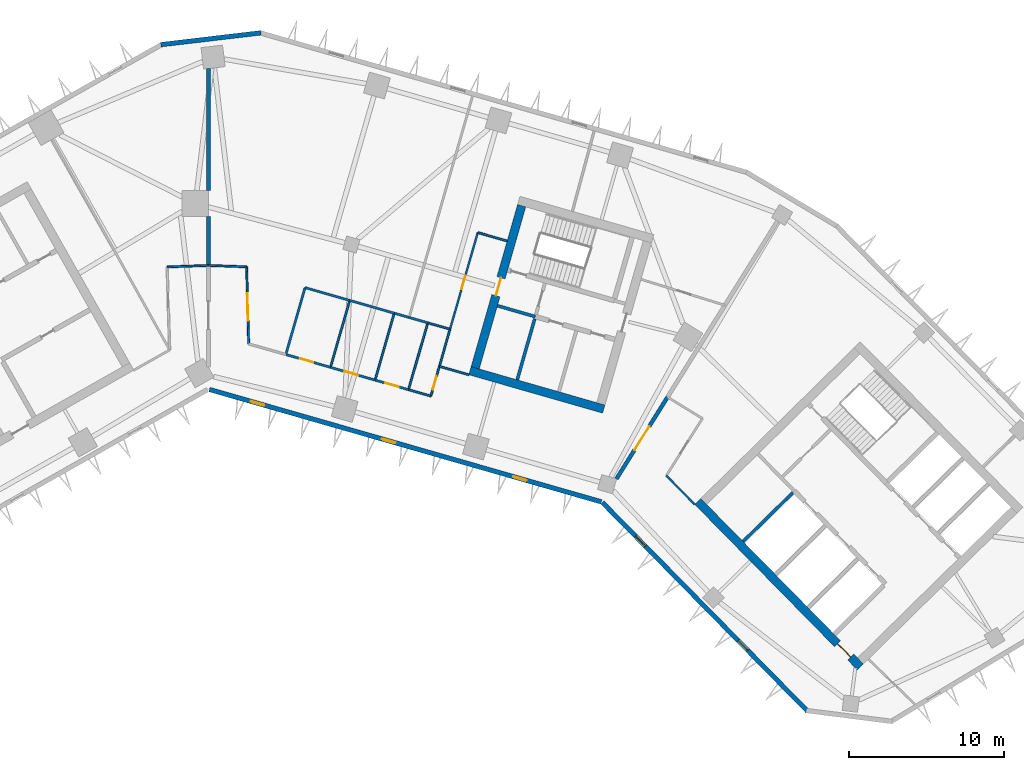
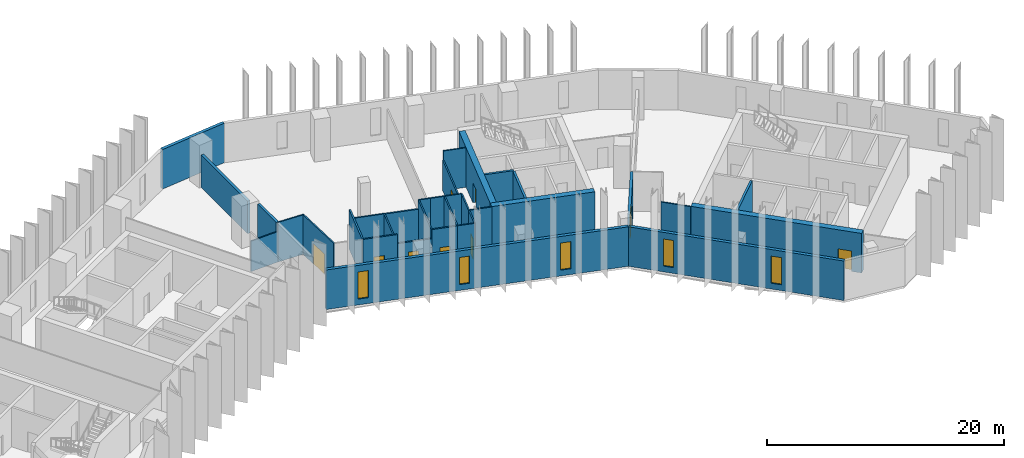
# One storey, part 5 of 11: 34 walls, 9 doors, 5 windows, 14 openings.
"""IFC4 building model written with IfcOpenShell, lengths in metres."""

from ifc_helpers import new_model, si_unit, direction, frame, frame_2d, origin, place, context, subcontext, project, spatial, rectangle, extrude, material, layer, layer_set, type_object, element, fill, save


model = new_model("IFC4")

# Units and contexts
model_context = context("Model", 3, precision=1e-05, world=origin(), true_north=direction((0.0, 1.0)))
body_context = subcontext(model_context, "Body", "Model", "MODEL_VIEW")
ifc_project = project(units=[si_unit("LENGTHUNIT", "METRE"), si_unit("AREAUNIT", "SQUARE_METRE"), si_unit("VOLUMEUNIT", "CUBIC_METRE"), si_unit("PLANEANGLEUNIT", "RADIAN"), si_unit("MASSUNIT", "GRAM", prefix="KILO")], contexts=[model_context])

# Site, building, storey
site_placement = place(None, origin())
site = spatial("IfcSite", under=ifc_project, at=site_placement, CompositionType="ELEMENT")
building_placement = place(site_placement, origin())
building = spatial("IfcBuilding", under=site, at=building_placement, Name="Binnacle Exchange Tower", CompositionType="ELEMENT")
storey_placement = place(building_placement, frame((0.0, 0.0, 105.89990234375)))
storey = spatial("IfcBuildingStorey", under=building, at=storey_placement, Name="L21", CompositionType="ELEMENT", Elevation=105.89990234375)

# Wall, opening, door
ifc_material_1 = material(Name="Concrete C70/85", Category="concrete")
ifc_layer_1 = layer(ifc_material_1, 0.550048828125)
ifc_layer_set_1 = layer_set([ifc_layer_1], Name="Core wall - outer 550")
wall_type_1 = type_object("IfcWallType", Name="Core wall - outer 550", PredefinedType="SOLIDWALL", material=ifc_layer_set_1)
wall_1_placement = place(storey_placement, frame((31.627685546875, 40.7451171875, 0.0), z_axis=(0.0, 0.0, 1.0), x_axis=(0.700911255944, -0.713248491965, 0.0)))
wall_1 = element("IfcWall", 1, at=wall_1_placement, inside=storey, type_object=wall_type_1, Name="Core wall CRWB1", PredefinedType="SOLIDWALL", context=body_context, shape_type="SweptSolid", body=[
    extrude(rectangle(XDim=15.0, YDim=0.550048828125, at=frame_2d((7.5, 0.0))), origin(), (0.0, 0.0, 1.0), 4.080078125),
])
opening_1_placement = place(wall_1_placement, frame((12.89990234375, 0.0, 0.0)))
opening_1 = element("IfcOpeningElement", 2, at=opening_1_placement, cuts=wall_1, Name="Opening DB7", PredefinedType="OPENING", context=body_context, shape_type="SweptSolid", body=[
    extrude(rectangle(XDim=1.199951171875, YDim=2.10009765625, at=frame_2d((0.60009765625, 1.050048828125))), frame((0.0, 0.284912109375, 0.0), z_axis=(0.0, -1.0, 0.0), x_axis=(1.0, 0.0, 0.0)), (0.0, 0.0, 1.0), 0.570068359375),
])
ifc_material_2 = material(Name="Steel door leaf", Category="steel")
door_type_1 = type_object("IfcDoorType", Name="Fire door 1200", OperationType="NOTDEFINED", PredefinedType="DOOR", material=ifc_material_2)
door_1_placement = place(opening_1_placement, frame((1.199951171875, 0.0, 0.0), z_axis=(0.0, 0.0, 1.0), x_axis=(-1.0, 0.0, 0.0)))
door_1 = element("IfcDoor", 3, at=door_1_placement, inside=storey, type_object=door_type_1, Name="Lift lobby entrance door core B", OperationType="SINGLE_SWING_LEFT", OverallHeight=2.10009765625, OverallWidth=1.199951171875, PredefinedType="DOOR", context=body_context, shape_type="SweptSolid", body=[
    extrude(rectangle(XDim=1.199951171875, YDim=2.10009765625, at=frame_2d((0.60009765625, 1.050048828125))), frame((0.0, 0.02490234375, 0.0), z_axis=(0.0, -1.0, 0.0), x_axis=(1.0, 0.0, 0.0)), (0.0, 0.0, 1.0), 0.050048828125),
])
fill(opening_1, door_1)

# Wall
wall_2_placement = place(storey_placement, frame((16.90380859375, 49.197265625, 0.0), z_axis=(0.0, 0.0, 1.0), x_axis=(0.96126248289, -0.275634611374, 0.0)))
element("IfcWall", 4, at=wall_2_placement, inside=storey, type_object=wall_type_1, Name="Core wall CRWD1", PredefinedType="SOLIDWALL", context=body_context, shape_type="SweptSolid", body=[
    extrude(rectangle(XDim=9.0, YDim=0.550048828125, at=frame_2d((4.5, 0.0))), origin(), (0.0, 0.0, 1.0), 4.080078125),
])

# Wall, opening, door
wall_3_placement = place(storey_placement, frame((17.243896484375, 49.3857421875, 0.0), z_axis=(0.0, 0.0, 1.0), x_axis=(0.275632146085, 0.96126318979, 0.0)))
wall_3 = element("IfcWall", 5, at=wall_3_placement, inside=storey, type_object=wall_type_1, Name="Core wall CRWD7", PredefinedType="SOLIDWALL", context=body_context, shape_type="SweptSolid", body=[
    extrude(rectangle(XDim=10.89990234375, YDim=0.550048828125, at=frame_2d((5.449951171875, 0.0))), origin(), (0.0, 0.0, 1.0), 4.080078125),
])
opening_2_placement = place(wall_3_placement, frame((4.85009765625, 0.0, 0.0)))
opening_2 = element("IfcOpeningElement", 6, at=opening_2_placement, cuts=wall_3, Name="Opening DD5", PredefinedType="OPENING", context=body_context, shape_type="SweptSolid", body=[
    extrude(rectangle(XDim=1.199951171875, YDim=2.10009765625, at=frame_2d((0.60009765625, 1.050048828125))), frame((0.0, 0.284912109375, 0.0), z_axis=(0.0, -1.0, 0.0), x_axis=(1.0, 0.0, 0.0)), (0.0, 0.0, 1.0), 0.570068359375),
])
door_2_placement = place(opening_2_placement, origin())
door_2 = element("IfcDoor", 7, at=door_2_placement, inside=storey, type_object=door_type_1, Name="Vestibule exit door VEST-W", OperationType="SINGLE_SWING_RIGHT", OverallHeight=2.10009765625, OverallWidth=1.199951171875, PredefinedType="DOOR", context=body_context, shape_type="SweptSolid", body=[
    extrude(rectangle(XDim=1.199951171875, YDim=2.10009765625, at=frame_2d((0.60009765625, 1.050048828125))), frame((0.0, 0.02490234375, 0.0), z_axis=(0.0, -1.0, 0.0), x_axis=(1.0, 0.0, 0.0)), (0.0, 0.0, 1.0), 0.050048828125),
])
fill(opening_2, door_2)

# Wall
ifc_material_3 = material(Name="Bronze aluminium cladding", Category="aluminium")
ifc_layer_2 = layer(ifc_material_3, 0.300048828125)
ifc_layer_set_2 = layer_set([ifc_layer_2], Name="External wall - spandrel 300")
wall_type_2 = type_object("IfcWallType", Name="External wall - spandrel 300", PredefinedType="STANDARD", material=ifc_layer_set_2)
wall_4_placement = place(storey_placement, frame((-3.076171875, 70.27294921875, 0.0), z_axis=(0.0, 0.0, 1.0), x_axis=(0.993067743007, 0.117543429416, 0.0)))
element("IfcWall", 8, at=wall_4_placement, inside=storey, type_object=wall_type_2, Name="External wall EW-F02 L21", PredefinedType="STANDARD", context=body_context, shape_type="SweptSolid", body=[
    extrude(rectangle(XDim=6.515625, YDim=0.300048828125, at=frame_2d((3.2578125, 0.0))), origin(), (0.0, 0.0, 1.0), 4.080078125),
])

# Wall, openings, windows
wall_5_placement = place(storey_placement, frame((25.398193359375, 40.71728515625, 0.0), z_axis=(0.0, 0.0, 1.0), x_axis=(-0.961262423262, 0.275634819324, 0.0)))
wall_5 = element("IfcWall", 9, at=wall_5_placement, inside=storey, type_object=wall_type_2, Name="External wall EW-F08 L21", PredefinedType="STANDARD", context=body_context, shape_type="SweptSolid", body=[
    extrude(rectangle(XDim=26.358642578125, YDim=0.300048828125, at=frame_2d((13.17919921875, 0.0))), origin(), (0.0, 0.0, 1.0), 4.080078125),
])
opening_3_placement = place(wall_5_placement, frame((22.6640625, 0.0, 0.60009765625)))
opening_3 = element("IfcOpeningElement", 10, at=opening_3_placement, cuts=wall_5, Name="Opening WS2", PredefinedType="OPENING", context=body_context, shape_type="SweptSolid", body=[
    extrude(rectangle(XDim=0.89990234375, YDim=2.800048828125, at=frame_2d((0.449951171875, 1.39990234375))), frame((0.0, 0.159912109375, 0.0), z_axis=(0.0, -1.0, 0.0), x_axis=(1.0, 0.0, 0.0)), (0.0, 0.0, 1.0), 0.320068359375),
])
opening_4_placement = place(wall_5_placement, frame((13.843505859375, 0.0, 0.60009765625)))
opening_4 = element("IfcOpeningElement", 11, at=opening_4_placement, cuts=wall_5, Name="Opening WS2", PredefinedType="OPENING", context=body_context, shape_type="SweptSolid", body=[
    extrude(rectangle(XDim=0.89990234375, YDim=2.800048828125, at=frame_2d((0.449951171875, 1.39990234375))), frame((0.0, 0.159912109375, 0.0), z_axis=(0.0, -1.0, 0.0), x_axis=(1.0, 0.0, 0.0)), (0.0, 0.0, 1.0), 0.320068359375),
])
opening_5_placement = place(wall_5_placement, frame((5.023193359375, 0.0, 0.60009765625)))
opening_5 = element("IfcOpeningElement", 12, at=opening_5_placement, cuts=wall_5, Name="Opening WS2", PredefinedType="OPENING", context=body_context, shape_type="SweptSolid", body=[
    extrude(rectangle(XDim=0.89990234375, YDim=2.800048828125, at=frame_2d((0.449951171875, 1.39990234375))), frame((0.0, 0.159912109375, 0.0), z_axis=(0.0, -1.0, 0.0), x_axis=(1.0, 0.0, 0.0)), (0.0, 0.0, 1.0), 0.320068359375),
])
ifc_material_4 = material(Name="Bronze anodised aluminium frame", Category="aluminium")
window_type = type_object("IfcWindowType", Name="WS2 WINDOW 900x2800", PartitioningType="SINGLE_PANEL", PredefinedType="WINDOW", material=ifc_material_4)
window_1_placement = place(opening_3_placement, origin())
window_1 = element("IfcWindow", 13, at=window_1_placement, inside=storey, type_object=window_type, Name="Window WS2 L21", OverallHeight=2.800048828125, OverallWidth=0.89990234375, PartitioningType="SINGLE_PANEL", PredefinedType="WINDOW", context=body_context, shape_type="SweptSolid", body=[
    extrude(rectangle(XDim=0.89990234375, YDim=2.800048828125, at=frame_2d((0.449951171875, 1.39990234375))), frame((0.0, 0.030029296875, 0.0), z_axis=(0.0, -1.0, 0.0), x_axis=(1.0, 0.0, 0.0)), (0.0, 0.0, 1.0), 0.06005859375),
])
fill(opening_3, window_1)
window_2_placement = place(opening_4_placement, origin())
window_2 = element("IfcWindow", 14, at=window_2_placement, inside=storey, type_object=window_type, Name="Window WS2 L21", OverallHeight=2.800048828125, OverallWidth=0.89990234375, PartitioningType="SINGLE_PANEL", PredefinedType="WINDOW", context=body_context, shape_type="SweptSolid", body=[
    extrude(rectangle(XDim=0.89990234375, YDim=2.800048828125, at=frame_2d((0.449951171875, 1.39990234375))), frame((0.0, 0.030029296875, 0.0), z_axis=(0.0, -1.0, 0.0), x_axis=(1.0, 0.0, 0.0)), (0.0, 0.0, 1.0), 0.06005859375),
])
fill(opening_4, window_2)
window_3_placement = place(opening_5_placement, origin())
window_3 = element("IfcWindow", 15, at=window_3_placement, inside=storey, type_object=window_type, Name="Window WS2 L21", OverallHeight=2.800048828125, OverallWidth=0.89990234375, PartitioningType="SINGLE_PANEL", PredefinedType="WINDOW", context=body_context, shape_type="SweptSolid", body=[
    extrude(rectangle(XDim=0.89990234375, YDim=2.800048828125, at=frame_2d((0.449951171875, 1.39990234375))), frame((0.0, 0.030029296875, 0.0), z_axis=(0.0, -1.0, 0.0), x_axis=(1.0, 0.0, 0.0)), (0.0, 0.0, 1.0), 0.06005859375),
])
fill(opening_5, window_3)

wall_6_placement = place(storey_placement, frame((38.727294921875, 27.18115234375, 0.0), z_axis=(0.0, 0.0, 1.0), x_axis=(-0.700906405975, 0.713253258011, 0.0)))
wall_6 = element("IfcWall", 16, at=wall_6_placement, inside=storey, type_object=wall_type_2, Name="External wall EW-F09 L21", PredefinedType="STANDARD", context=body_context, shape_type="SweptSolid", body=[
    extrude(rectangle(XDim=18.92333984375, YDim=0.300048828125, at=frame_2d((9.461669921875, 0.0))), origin(), (0.0, 0.0, 1.0), 4.080078125),
])
opening_6_placement = place(wall_6_placement, frame((14.967041015625, 0.0, 0.60009765625)))
opening_6 = element("IfcOpeningElement", 17, at=opening_6_placement, cuts=wall_6, Name="Opening WS2", PredefinedType="OPENING", context=body_context, shape_type="SweptSolid", body=[
    extrude(rectangle(XDim=0.89990234375, YDim=2.800048828125, at=frame_2d((0.449951171875, 1.39990234375))), frame((0.0, 0.159912109375, 0.0), z_axis=(0.0, -1.0, 0.0), x_axis=(1.0, 0.0, 0.0)), (0.0, 0.0, 1.0), 0.320068359375),
])
opening_7_placement = place(wall_6_placement, frame((5.51171875, 0.0, 0.60009765625)))
opening_7 = element("IfcOpeningElement", 18, at=opening_7_placement, cuts=wall_6, Name="Opening WS2", PredefinedType="OPENING", context=body_context, shape_type="SweptSolid", body=[
    extrude(rectangle(XDim=0.89990234375, YDim=2.800048828125, at=frame_2d((0.449951171875, 1.39990234375))), frame((0.0, 0.159912109375, 0.0), z_axis=(0.0, -1.0, 0.0), x_axis=(1.0, 0.0, 0.0)), (0.0, 0.0, 1.0), 0.320068359375),
])
window_4_placement = place(opening_6_placement, origin())
window_4 = element("IfcWindow", 19, at=window_4_placement, inside=storey, type_object=window_type, Name="Window WS2 L21", OverallHeight=2.800048828125, OverallWidth=0.89990234375, PartitioningType="SINGLE_PANEL", PredefinedType="WINDOW", context=body_context, shape_type="SweptSolid", body=[
    extrude(rectangle(XDim=0.89990234375, YDim=2.800048828125, at=frame_2d((0.449951171875, 1.39990234375))), frame((0.0, 0.030029296875, 0.0), z_axis=(0.0, -1.0, 0.0), x_axis=(1.0, 0.0, 0.0)), (0.0, 0.0, 1.0), 0.06005859375),
])
fill(opening_6, window_4)
window_5_placement = place(opening_7_placement, origin())
window_5 = element("IfcWindow", 20, at=window_5_placement, inside=storey, type_object=window_type, Name="Window WS2 L21", OverallHeight=2.800048828125, OverallWidth=0.89990234375, PartitioningType="SINGLE_PANEL", PredefinedType="WINDOW", context=body_context, shape_type="SweptSolid", body=[
    extrude(rectangle(XDim=0.89990234375, YDim=2.800048828125, at=frame_2d((0.449951171875, 1.39990234375))), frame((0.0, 0.030029296875, 0.0), z_axis=(0.0, -1.0, 0.0), x_axis=(1.0, 0.0, 0.0)), (0.0, 0.0, 1.0), 0.06005859375),
])
fill(opening_7, window_5)

# Walls
ifc_material_5 = material(Name="Concrete fire wall C30/37", Category="concrete")
ifc_layer_3 = layer(ifc_material_5, 0.25)
ifc_layer_set_3 = layer_set([ifc_layer_3], Name="Fire wall - compartment 250")
wall_type_3 = type_object("IfcWallType", Name="Fire wall - compartment 250", PredefinedType="PARTITIONING", material=ifc_layer_set_3)
wall_7_placement = place(storey_placement, frame((0.0, 56.0, 0.0), z_axis=(0.0, 0.0, 1.0), x_axis=(0.0, 1.0, 0.0)))
element("IfcWall", 21, at=wall_7_placement, inside=storey, type_object=wall_type_3, Name="Fire Wall W11", PredefinedType="PARTITIONING", context=body_context, shape_type="SweptSolid", body=[
    extrude(rectangle(XDim=3.14990234375, YDim=0.25, at=frame_2d((1.574951171875, 0.0))), origin(), (0.0, 0.0, 1.0), 4.080078125),
])
wall_8_placement = place(storey_placement, frame((0.0, 60.85009765625, 0.0), z_axis=(0.0, 0.0, 1.0), x_axis=(0.0, 1.0, 0.0)))
element("IfcWall", 22, at=wall_8_placement, inside=storey, type_object=wall_type_3, Name="Fire Wall W13", PredefinedType="PARTITIONING", context=body_context, shape_type="SweptSolid", body=[
    extrude(rectangle(XDim=7.8740234375, YDim=0.25, at=frame_2d((3.93701171875, 0.0))), origin(), (0.0, 0.0, 1.0), 3.35205078125),
])

# Wall, opening, door
wall_9_placement = place(storey_placement, frame((26.373046875, 42.2060546875, 0.0), z_axis=(0.0, 0.0, 1.0), x_axis=(0.52987567935, 0.848075329457, 0.0)))
wall_9 = element("IfcWall", 23, at=wall_9_placement, inside=storey, type_object=wall_type_3, Name="Fire Wall W36", PredefinedType="PARTITIONING", context=body_context, shape_type="SweptSolid", body=[
    extrude(rectangle(XDim=6.231689453125, YDim=0.25, at=frame_2d((3.11572265625, 0.0))), origin(), (0.0, 0.0, 1.0), 4.080078125),
])
opening_8_placement = place(wall_9_placement, frame((2.199951171875, 0.0, 0.0)))
opening_8 = element("IfcOpeningElement", 24, at=opening_8_placement, cuts=wall_9, Name="Opening DL19-14", PredefinedType="OPENING", context=body_context, shape_type="SweptSolid", body=[
    extrude(rectangle(XDim=1.800048828125, YDim=2.10009765625, at=frame_2d((0.89990234375, 1.050048828125))), frame((0.0, 0.135009765625, 0.0), z_axis=(0.0, -1.0, 0.0), x_axis=(1.0, 0.0, 0.0)), (0.0, 0.0, 1.0), 0.27001953125),
])
door_type_2 = type_object("IfcDoorType", Name="Fire door 1800", OperationType="NOTDEFINED", PredefinedType="DOOR", material=ifc_material_2)
door_3_placement = place(opening_8_placement, origin())
door_3 = element("IfcDoor", 25, at=door_3_placement, inside=storey, type_object=door_type_2, Name="Door DL19-14", OperationType="DOUBLE_DOOR_SINGLE_SWING", OverallHeight=2.10009765625, OverallWidth=1.800048828125, PredefinedType="DOOR", context=body_context, shape_type="SweptSolid", body=[
    extrude(rectangle(XDim=1.800048828125, YDim=2.10009765625, at=frame_2d((0.89990234375, 1.050048828125))), frame((0.0, 0.02490234375, 0.0), z_axis=(0.0, -1.0, 0.0), x_axis=(1.0, 0.0, 0.0)), (0.0, 0.0, 1.0), 0.050048828125),
])
fill(opening_8, door_3)

# Wall
ifc_material_6 = material(Name="Gypsum partition fire rated")
ifc_layer_4 = layer(ifc_material_6, 0.14990234375)
ifc_layer_set_4 = layer_set([ifc_layer_4], Name="Fire-rated partition 150")
wall_type_4 = type_object("IfcWallType", Name="Fire-rated partition 150", PredefinedType="PARTITIONING", material=ifc_layer_set_4)
wall_10_placement = place(storey_placement, frame((5.00390625, 50.242919921875, 0.0), z_axis=(0.0, 0.0, 1.0), x_axis=(0.275838825927, 0.961203902464, 0.0)))
element("IfcWall", 26, at=wall_10_placement, inside=storey, type_object=wall_type_4, Name="Partition W16", PredefinedType="PARTITIONING", context=body_context, shape_type="SweptSolid", body=[
    extrude(rectangle(XDim=4.499755859375, YDim=0.14990234375, at=frame_2d((2.25, 0.0))), origin(), (0.0, 0.0, 1.0), 4.080078125),
])

# Wall, opening, door
wall_11_placement = place(storey_placement, frame((5.00390625, 50.242919921875, 0.0), z_axis=(0.0, 0.0, 1.0), x_axis=(0.961268664977, -0.27561305073, 0.0)))
wall_11 = element("IfcWall", 27, at=wall_11_placement, inside=storey, type_object=wall_type_4, Name="Partition W17", PredefinedType="PARTITIONING", context=body_context, shape_type="SweptSolid", body=[
    extrude(rectangle(XDim=3.000244140625, YDim=0.14990234375, at=frame_2d((1.5, 0.0))), origin(), (0.0, 0.0, 1.0), 4.080078125),
])
opening_9_placement = place(wall_11_placement, frame((0.949951171875, 0.0, 0.0)))
opening_9 = element("IfcOpeningElement", 28, at=opening_9_placement, cuts=wall_11, Name="Opening DL19-04", PredefinedType="OPENING", context=body_context, shape_type="SweptSolid", body=[
    extrude(rectangle(XDim=0.89990234375, YDim=2.10009765625, at=frame_2d((0.449951171875, 1.050048828125))), frame((0.0, 0.0849609375, 0.0), z_axis=(0.0, -1.0, 0.0), x_axis=(1.0, 0.0, 0.0)), (0.0, 0.0, 1.0), 0.169921875),
])
door_type_3 = type_object("IfcDoorType", Name="Fire door 900", OperationType="NOTDEFINED", PredefinedType="DOOR", material=ifc_material_2)
door_4_placement = place(opening_9_placement, origin())
door_4 = element("IfcDoor", 29, at=door_4_placement, inside=storey, type_object=door_type_3, Name="Door DL19-04", OperationType="SINGLE_SWING_LEFT", OverallHeight=2.10009765625, OverallWidth=0.89990234375, PredefinedType="DOOR", context=body_context, shape_type="SweptSolid", body=[
    extrude(rectangle(XDim=0.89990234375, YDim=2.10009765625, at=frame_2d((0.449951171875, 1.050048828125))), frame((0.0, 0.02490234375, 0.0), z_axis=(0.0, -1.0, 0.0), x_axis=(1.0, 0.0, 0.0)), (0.0, 0.0, 1.0), 0.050048828125),
])
fill(opening_9, door_4)

# Wall
wall_12_placement = place(storey_placement, frame((6.2451171875, 54.568115234375, 0.0), z_axis=(0.0, 0.0, 1.0), x_axis=(0.961240918172, -0.275709806194, 0.0)))
element("IfcWall", 30, at=wall_12_placement, inside=storey, type_object=wall_type_4, Name="Partition W18", PredefinedType="PARTITIONING", context=body_context, shape_type="SweptSolid", body=[
    extrude(rectangle(XDim=3.0, YDim=0.14990234375, at=frame_2d((1.5, 0.0))), origin(), (0.0, 0.0, 1.0), 3.16015625),
])

# Wall, opening, door
wall_13_placement = place(storey_placement, frame((7.887939453125, 49.416015625, 0.0), z_axis=(0.0, 0.0, 1.0), x_axis=(0.961268664977, -0.27561305073, 0.0)))
wall_13 = element("IfcWall", 31, at=wall_13_placement, inside=storey, type_object=wall_type_4, Name="Partition W20", PredefinedType="PARTITIONING", context=body_context, shape_type="SweptSolid", body=[
    extrude(rectangle(XDim=3.000244140625, YDim=0.14990234375, at=frame_2d((1.5, 0.0))), origin(), (0.0, 0.0, 1.0), 3.14208984375),
])
opening_10_placement = place(wall_13_placement, frame((0.949951171875, 0.0, 0.0)))
opening_10 = element("IfcOpeningElement", 32, at=opening_10_placement, cuts=wall_13, Name="Opening DL19-05", PredefinedType="OPENING", context=body_context, shape_type="SweptSolid", body=[
    extrude(rectangle(XDim=0.89990234375, YDim=2.10009765625, at=frame_2d((0.449951171875, 1.050048828125))), frame((0.0, 0.0849609375, 0.0), z_axis=(0.0, -1.0, 0.0), x_axis=(1.0, 0.0, 0.0)), (0.0, 0.0, 1.0), 0.169921875),
])
door_5_placement = place(opening_10_placement, origin())
door_5 = element("IfcDoor", 33, at=door_5_placement, inside=storey, type_object=door_type_3, Name="Door DL19-05", OperationType="SINGLE_SWING_LEFT", OverallHeight=2.10009765625, OverallWidth=0.89990234375, PredefinedType="DOOR", context=body_context, shape_type="SweptSolid", body=[
    extrude(rectangle(XDim=0.89990234375, YDim=2.10009765625, at=frame_2d((0.449951171875, 1.050048828125))), frame((0.0, 0.02490234375, 0.0), z_axis=(0.0, -1.0, 0.0), x_axis=(1.0, 0.0, 0.0)), (0.0, 0.0, 1.0), 0.050048828125),
])
fill(opening_10, door_5)

# Wall
wall_14_placement = place(storey_placement, frame((9.12890625, 53.740966796875, 0.0), z_axis=(0.0, 0.0, 1.0), x_axis=(0.961243927922, -0.275699312717, 0.0)))
element("IfcWall", 34, at=wall_14_placement, inside=storey, type_object=wall_type_4, Name="Partition W21", PredefinedType="PARTITIONING", context=body_context, shape_type="SweptSolid", body=[
    extrude(rectangle(XDim=2.999267578125, YDim=0.14990234375, at=frame_2d((1.49951171875, 0.0))), origin(), (0.0, 0.0, 1.0), 3.14208984375),
])

# Wall, opening, door
wall_15_placement = place(storey_placement, frame((10.77197265625, 48.589111328125, 0.0), z_axis=(0.0, 0.0, 1.0), x_axis=(0.96127791106, -0.275580800688, 0.0)))
wall_15 = element("IfcWall", 35, at=wall_15_placement, inside=storey, type_object=wall_type_4, Name="Partition W23", PredefinedType="PARTITIONING", context=body_context, shape_type="SweptSolid", body=[
    extrude(rectangle(XDim=2.250244140625, YDim=0.14990234375, at=frame_2d((1.125, 0.0))), origin(), (0.0, 0.0, 1.0), 4.080078125),
])
opening_11_placement = place(wall_15_placement, frame((0.699951171875, 0.0, 0.0)))
opening_11 = element("IfcOpeningElement", 36, at=opening_11_placement, cuts=wall_15, Name="Opening DL19-06", PredefinedType="OPENING", context=body_context, shape_type="SweptSolid", body=[
    extrude(rectangle(XDim=0.89990234375, YDim=2.10009765625, at=frame_2d((0.449951171875, 1.050048828125))), frame((0.0, 0.0849609375, 0.0), z_axis=(0.0, -1.0, 0.0), x_axis=(1.0, 0.0, 0.0)), (0.0, 0.0, 1.0), 0.169921875),
])
door_6_placement = place(opening_11_placement, origin())
door_6 = element("IfcDoor", 37, at=door_6_placement, inside=storey, type_object=door_type_3, Name="Door DL19-06", OperationType="SINGLE_SWING_RIGHT", OverallHeight=2.10009765625, OverallWidth=0.89990234375, PredefinedType="DOOR", context=body_context, shape_type="SweptSolid", body=[
    extrude(rectangle(XDim=0.89990234375, YDim=2.10009765625, at=frame_2d((0.449951171875, 1.050048828125))), frame((0.0, 0.02490234375, 0.0), z_axis=(0.0, -1.0, 0.0), x_axis=(1.0, 0.0, 0.0)), (0.0, 0.0, 1.0), 0.050048828125),
])
fill(opening_11, door_6)

# Walls
wall_16_placement = place(storey_placement, frame((12.011962890625, 52.9140625, 0.0), z_axis=(0.0, 0.0, 1.0), x_axis=(0.961459478043, -0.274946671341, 0.0)))
element("IfcWall", 38, at=wall_16_placement, inside=storey, type_object=wall_type_4, Name="Partition W24", PredefinedType="PARTITIONING", context=body_context, shape_type="SweptSolid", body=[
    extrude(rectangle(XDim=1.000732421875, YDim=0.14990234375, at=frame_2d((0.50048828125, 0.0))), origin(), (0.0, 0.0, 1.0), 4.080078125),
])
wall_17_placement = place(storey_placement, frame((12.97412109375, 52.638916015625, 0.0), z_axis=(0.0, 0.0, 1.0), x_axis=(0.961132191281, -0.276088592454, 0.0)))
element("IfcWall", 39, at=wall_17_placement, inside=storey, type_object=wall_type_4, Name="Partition W27", PredefinedType="PARTITIONING", context=body_context, shape_type="SweptSolid", body=[
    extrude(rectangle(XDim=1.24951171875, YDim=0.14990234375, at=frame_2d((0.624755859375, 0.0))), origin(), (0.0, 0.0, 1.0), 4.080078125),
])
ifc_material_7 = material(Name="Gypsum partition")
ifc_layer_5 = layer(ifc_material_7, 0.125)
ifc_layer_set_5 = layer_set([ifc_layer_5], Name="Partition 125")
wall_type_5 = type_object("IfcWallType", Name="Partition 125", PredefinedType="PARTITIONING", material=ifc_layer_set_5)
wall_18_placement = place(storey_placement, frame((-2.669921875, 55.904052734375, 0.0), z_axis=(0.0, 0.0, 1.0), x_axis=(0.999354913865, 0.03591317494, 0.0)))
element("IfcWall", 40, at=wall_18_placement, inside=storey, type_object=wall_type_5, Name="Partition W09", PredefinedType="PARTITIONING", context=body_context, shape_type="SweptSolid", body=[
    extrude(rectangle(XDim=2.671630859375, YDim=0.125, at=frame_2d((1.3359375, 0.0))), origin(), (0.0, 0.0, 1.0), 3.14208984375),
])
wall_19_placement = place(storey_placement, frame((0.0, 56.0, 0.0), z_axis=(0.0, 0.0, 1.0), x_axis=(0.999349313684, -0.036068673934, 0.0)))
element("IfcWall", 41, at=wall_19_placement, inside=storey, type_object=wall_type_5, Name="Partition W12", PredefinedType="PARTITIONING", context=body_context, shape_type="SweptSolid", body=[
    extrude(rectangle(XDim=2.470703125, YDim=0.125, at=frame_2d((1.2353515625, 0.0))), origin(), (0.0, 0.0, 1.0), 4.080078125),
])

# Wall, opening, door
wall_20_placement = place(storey_placement, frame((2.468994140625, 55.910888671875, 0.0), z_axis=(0.0, 0.0, 1.0), x_axis=(0.02651808123, -0.999648333849, 0.0)))
wall_20 = element("IfcWall", 42, at=wall_20_placement, inside=storey, type_object=wall_type_5, Name="Partition W14", PredefinedType="PARTITIONING", context=body_context, shape_type="SweptSolid", body=[
    extrude(rectangle(XDim=4.980712890625, YDim=0.125, at=frame_2d((2.490234375, 0.0))), origin(), (0.0, 0.0, 1.0), 4.080078125),
])
opening_12_placement = place(wall_20_placement, frame((1.699951171875, 0.0, 0.0)))
opening_12 = element("IfcOpeningElement", 43, at=opening_12_placement, cuts=wall_20, Name="Opening DL19-08", PredefinedType="OPENING", context=body_context, shape_type="SweptSolid", body=[
    extrude(rectangle(XDim=1.800048828125, YDim=2.10009765625, at=frame_2d((0.89990234375, 1.050048828125))), frame((0.0, 0.072509765625, 0.0), z_axis=(0.0, -1.0, 0.0), x_axis=(1.0, 0.0, 0.0)), (0.0, 0.0, 1.0), 0.14501953125),
])
ifc_material_8 = material(Name="Timber door leaf", Category="wood")
door_type_4 = type_object("IfcDoorType", Name="Double door 1800", OperationType="NOTDEFINED", PredefinedType="DOOR", material=ifc_material_8)
door_7_placement = place(opening_12_placement, origin())
door_7 = element("IfcDoor", 44, at=door_7_placement, inside=storey, type_object=door_type_4, Name="Door DL19-08", OperationType="DOUBLE_DOOR_SINGLE_SWING", OverallHeight=2.10009765625, OverallWidth=1.800048828125, PredefinedType="DOOR", context=body_context, shape_type="SweptSolid", body=[
    extrude(rectangle(XDim=1.800048828125, YDim=2.10009765625, at=frame_2d((0.89990234375, 1.050048828125))), frame((0.0, 0.02490234375, 0.0), z_axis=(0.0, -1.0, 0.0), x_axis=(1.0, 0.0, 0.0)), (0.0, 0.0, 1.0), 0.050048828125),
])
fill(opening_12, door_7)

# Walls
wall_21_placement = place(storey_placement, frame((7.887939453125, 49.416015625, 0.0), z_axis=(0.0, 0.0, 1.0), x_axis=(0.275803080638, 0.96121415965, 0.0)))
element("IfcWall", 45, at=wall_21_placement, inside=storey, type_object=wall_type_5, Name="Partition W19", PredefinedType="PARTITIONING", context=body_context, shape_type="SweptSolid", body=[
    extrude(rectangle(XDim=4.49951171875, YDim=0.125, at=frame_2d((2.249755859375, 0.0))), origin(), (0.0, 0.0, 1.0), 3.16015625),
])
for number, where, z_axis, x_axis, name in (
    (46, (10.77197265625, 48.589111328125, 0.0), (0.0, 0.0, 1.0), (0.275602532653, 0.961271680637, 0.0), "Partition W22"),
    (47, (12.93505859375, 47.968994140625, 0.0), (0.0, 0.0, 1.0), (0.275602532653, 0.961271680637, 0.0), "Partition W25"),
):
    element("IfcWall", number, at=place(storey_placement, frame(where, z_axis=z_axis, x_axis=x_axis)), inside=storey, type_object=wall_type_5, Name=name, PredefinedType="PARTITIONING", context=body_context, shape_type="SweptSolid", body=[
        extrude(rectangle(XDim=4.499267578125, YDim=0.125, at=frame_2d((2.24951171875, 0.0))), origin(), (0.0, 0.0, 1.0), 4.080078125),
    ])
wall_22_placement = place(storey_placement, frame((12.93505859375, 47.968994140625, 0.0), z_axis=(0.0, 0.0, 1.0), x_axis=(0.961154610169, -0.276010534854, 0.0)))
element("IfcWall", 48, at=wall_22_placement, inside=storey, type_object=wall_type_5, Name="Partition W26", PredefinedType="PARTITIONING", context=body_context, shape_type="SweptSolid", body=[
    extrude(rectangle(XDim=1.500244140625, YDim=0.125, at=frame_2d((0.75, 0.0))), origin(), (0.0, 0.0, 1.0), 4.080078125),
])
wall_23_placement = place(storey_placement, frame((14.175048828125, 52.2939453125, 0.0), z_axis=(0.0, 0.0, 1.0), x_axis=(0.961370232732, -0.275258561387, 0.0)))
element("IfcWall", 49, at=wall_23_placement, inside=storey, type_object=wall_type_5, Name="Partition W29", PredefinedType="PARTITIONING", context=body_context, shape_type="SweptSolid", body=[
    extrude(rectangle(XDim=1.499755859375, YDim=0.125, at=frame_2d((0.75, 0.0))), origin(), (0.0, 0.0, 1.0), 4.080078125),
])

# Wall, opening, door
wall_24_placement = place(storey_placement, frame((14.376953125, 47.554931640625, 0.0), z_axis=(0.0, 0.0, 1.0), x_axis=(0.275446387355, 0.961316434736, 0.0)))
wall_24 = element("IfcWall", 50, at=wall_24_placement, inside=storey, type_object=wall_type_5, Name="Partition W30", PredefinedType="PARTITIONING", context=body_context, shape_type="SweptSolid", body=[
    extrude(rectangle(XDim=2.00048828125, YDim=0.125, at=frame_2d((1.000244140625, 0.0))), origin(), (0.0, 0.0, 1.0), 4.080078125),
])
opening_13_placement = place(wall_24_placement, frame((0.449951171875, 0.0, 0.0)))
opening_13 = element("IfcOpeningElement", 51, at=opening_13_placement, cuts=wall_24, Name="Opening DL19-07", PredefinedType="OPENING", context=body_context, shape_type="SweptSolid", body=[
    extrude(rectangle(XDim=0.89990234375, YDim=2.10009765625, at=frame_2d((0.449951171875, 1.050048828125))), frame((0.0, 0.072509765625, 0.0), z_axis=(0.0, -1.0, 0.0), x_axis=(1.0, 0.0, 0.0)), (0.0, 0.0, 1.0), 0.14501953125),
])
door_type_5 = type_object("IfcDoorType", Name="Door 900", OperationType="NOTDEFINED", PredefinedType="DOOR", material=ifc_material_8)
door_8_placement = place(opening_13_placement, origin())
door_8 = element("IfcDoor", 52, at=door_8_placement, inside=storey, type_object=door_type_5, Name="Door DL19-07", OperationType="SINGLE_SWING_LEFT", OverallHeight=2.10009765625, OverallWidth=0.89990234375, PredefinedType="DOOR", context=body_context, shape_type="SweptSolid", body=[
    extrude(rectangle(XDim=0.89990234375, YDim=2.10009765625, at=frame_2d((0.449951171875, 1.050048828125))), frame((0.0, 0.02490234375, 0.0), z_axis=(0.0, -1.0, 0.0), x_axis=(1.0, 0.0, 0.0)), (0.0, 0.0, 1.0), 0.050048828125),
])
fill(opening_13, door_8)

# Walls
wall_25_placement = place(storey_placement, frame((14.927978515625, 49.47802734375, 0.0), z_axis=(0.0, 0.0, 1.0), x_axis=(0.275598116036, 0.961272946898, 0.0)))
element("IfcWall", 53, at=wall_25_placement, inside=storey, type_object=wall_type_5, Name="Partition W31", PredefinedType="PARTITIONING", context=body_context, shape_type="SweptSolid", body=[
    extrude(rectangle(XDim=2.5, YDim=0.125, at=frame_2d((1.25, 0.0))), origin(), (0.0, 0.0, 1.0), 4.080078125),
])
wall_26_placement = place(storey_placement, frame((14.927978515625, 49.47802734375, 0.0), z_axis=(0.0, 0.0, 1.0), x_axis=(0.961243778232, -0.27569983462, 0.0)))
element("IfcWall", 54, at=wall_26_placement, inside=storey, type_object=wall_type_5, Name="Partition W32", PredefinedType="PARTITIONING", context=body_context, shape_type="SweptSolid", body=[
    extrude(rectangle(XDim=1.9765625, YDim=0.125, at=frame_2d((0.98828125, 0.0))), origin(), (0.0, 0.0, 1.0), 4.080078125),
])

# Wall, opening, door
wall_27_placement = place(storey_placement, frame((15.616943359375, 51.881103515625, 0.0), z_axis=(0.0, 0.0, 1.0), x_axis=(0.275703259795, 0.961242795832, 0.0)))
wall_27 = element("IfcWall", 55, at=wall_27_placement, inside=storey, type_object=wall_type_5, Name="Partition W33", PredefinedType="PARTITIONING", context=body_context, shape_type="SweptSolid", body=[
    extrude(rectangle(XDim=6.499755859375, YDim=0.125, at=frame_2d((3.25, 0.0))), origin(), (0.0, 0.0, 1.0), 3.14208984375),
])
opening_14_placement = place(wall_27_placement, frame((2.699951171875, 0.0, 0.0)))
opening_14 = element("IfcOpeningElement", 56, at=opening_14_placement, cuts=wall_27, Name="Opening DL19-09", PredefinedType="OPENING", context=body_context, shape_type="SweptSolid", body=[
    extrude(rectangle(XDim=0.89990234375, YDim=2.10009765625, at=frame_2d((0.449951171875, 1.050048828125))), frame((0.0, 0.072509765625, 0.0), z_axis=(0.0, -1.0, 0.0), x_axis=(1.0, 0.0, 0.0)), (0.0, 0.0, 1.0), 0.14501953125),
])
door_9_placement = place(opening_14_placement, origin())
door_9 = element("IfcDoor", 57, at=door_9_placement, inside=storey, type_object=door_type_5, Name="Door DL19-09", OperationType="SINGLE_SWING_LEFT", OverallHeight=2.10009765625, OverallWidth=0.89990234375, PredefinedType="DOOR", context=body_context, shape_type="SweptSolid", body=[
    extrude(rectangle(XDim=0.89990234375, YDim=2.10009765625, at=frame_2d((0.449951171875, 1.050048828125))), frame((0.0, 0.02490234375, 0.0), z_axis=(0.0, -1.0, 0.0), x_axis=(1.0, 0.0, 0.0)), (0.0, 0.0, 1.0), 0.050048828125),
])
fill(opening_14, door_9)

# Walls
wall_28_placement = place(storey_placement, frame((17.408935546875, 58.12890625, 0.0), z_axis=(0.0, 0.0, 1.0), x_axis=(0.961253165474, -0.275667103345, 0.0)))
element("IfcWall", 58, at=wall_28_placement, inside=storey, type_object=wall_type_5, Name="Partition W34", PredefinedType="PARTITIONING", context=body_context, shape_type="SweptSolid", body=[
    extrude(rectangle(XDim=1.976806640625, YDim=0.125, at=frame_2d((0.98828125, 0.0))), origin(), (0.0, 0.0, 1.0), 4.080078125),
])
wall_29_placement = place(storey_placement, frame((29.60009765625, 42.416015625, 0.0), z_axis=(0.0, 0.0, 1.0), x_axis=(0.700914320664, -0.713245480244, 0.0)))
element("IfcWall", 59, at=wall_29_placement, inside=storey, type_object=wall_type_5, Name="Partition W38", PredefinedType="PARTITIONING", context=body_context, shape_type="SweptSolid", body=[
    extrude(rectangle(XDim=2.613525390625, YDim=0.125, at=frame_2d((1.306640625, 0.0))), origin(), (0.0, 0.0, 1.0), 4.080078125),
])
ifc_material_9 = material(Name="Masonry block wall", Category="masonry")
ifc_layer_6 = layer(ifc_material_9, 0.199951171875)
ifc_layer_set_6 = layer_set([ifc_layer_6], Name="Riser wall 200")
wall_type_6 = type_object("IfcWallType", Name="Riser wall 200", PredefinedType="SOLIDWALL", material=ifc_layer_set_6)
wall_30_placement = place(storey_placement, frame((34.5576171875, 38.15625, 0.0), z_axis=(0.0, 0.0, 1.0), x_axis=(0.713237924006, 0.700922009755, 0.0)))
element("IfcWall", 60, at=wall_30_placement, inside=storey, type_object=wall_type_6, Name="Core wall CRWB9", PredefinedType="SOLIDWALL", context=body_context, shape_type="SweptSolid", body=[
    extrude(rectangle(XDim=4.499755859375, YDim=0.199951171875, at=frame_2d((2.25, 0.0))), origin(), (0.0, 0.0, 1.0), 4.080078125),
])
wall_31_placement = place(storey_placement, frame((18.6796875, 53.3955078125, 0.0), z_axis=(0.0, 0.0, 1.0), x_axis=(0.961234387647, -0.275732573349, 0.0)))
element("IfcWall", 61, at=wall_31_placement, inside=storey, type_object=wall_type_6, Name="Core wall CRWD2", PredefinedType="SOLIDWALL", context=body_context, shape_type="SweptSolid", body=[
    extrude(rectangle(XDim=2.550048828125, YDim=0.199951171875, at=frame_2d((1.27490234375, 0.0))), origin(), (0.0, 0.0, 1.0), 4.080078125),
])
wall_32_placement = place(storey_placement, frame((19.95947265625, 48.607177734375, 0.0), z_axis=(0.0, 0.0, 1.0), x_axis=(0.275641165445, 0.961260603537, 0.0)))
element("IfcWall", 62, at=wall_32_placement, inside=storey, type_object=wall_type_6, Name="Core wall CRWD8", PredefinedType="SOLIDWALL", context=body_context, shape_type="SweptSolid", body=[
    extrude(rectangle(XDim=4.10009765625, YDim=0.199951171875, at=frame_2d((2.050048828125, 0.0))), origin(), (0.0, 0.0, 1.0), 4.080078125),
])

save(model, "model.ifc")
